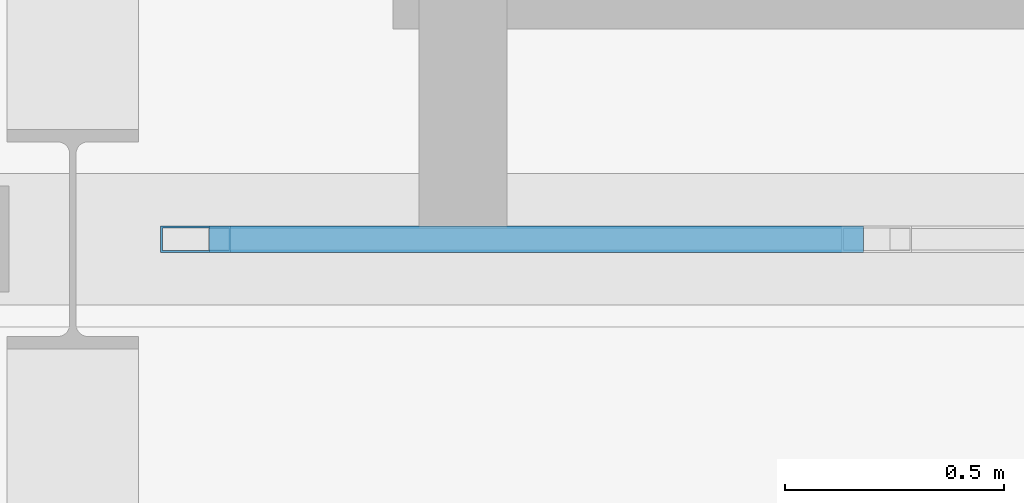
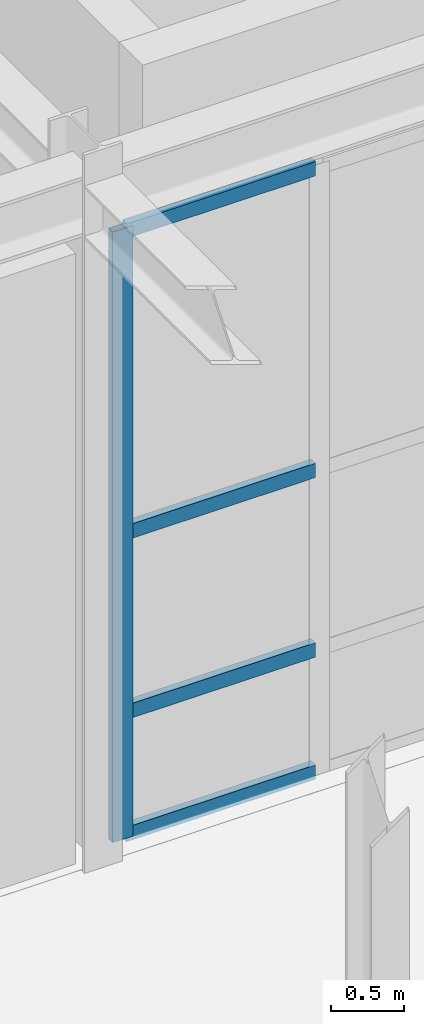
# One storey, part 82 of 146: 5 members, 1 element without a shape of its own.
"""IFC4 building model written with IfcOpenShell, lengths in metres."""

from ifc_helpers import new_model, si_unit, direction, frame, origin, origin_2d, place, context, subcontext, project, spatial, hollow_rectangle, extrude, material, material_profile, profile_set, type_object, element, aggregate, save


model = new_model("IFC4")

# Units and contexts
model_context = context("Model", 3, precision=1e-05, world=origin(), true_north=direction((0.0, 1.0)))
body_context = subcontext(model_context, "Body", "Model", "MODEL_VIEW")
ifc_project = project(units=[si_unit("LENGTHUNIT", "METRE"), si_unit("AREAUNIT", "SQUARE_METRE"), si_unit("VOLUMEUNIT", "CUBIC_METRE"), si_unit("PLANEANGLEUNIT", "RADIAN"), si_unit("MASSUNIT", "GRAM", prefix="KILO")], contexts=[model_context])

# Site, building, storey
site_placement = place(None, origin())
site = spatial("IfcSite", under=ifc_project, at=site_placement, CompositionType="ELEMENT")
building_placement = place(site_placement, origin())
building = spatial("IfcBuilding", under=site, at=building_placement, Name="Kaldris Quays Convention Centre", CompositionType="ELEMENT")
storey_placement = place(building_placement, origin())
storey = spatial("IfcBuildingStorey", under=building, at=storey_placement, Name="L00", CompositionType="ELEMENT", Elevation=0.0)

# Curtain wall, members
ifc_material_1 = material(Name="Anodized aluminium AW-6060 and triple glazing", Category="aluminium")
curtain_wall_type = type_object("IfcCurtainWallType", Name="UNITISED CURTAIN WALL CW01", PredefinedType="NOTDEFINED", material=ifc_material_1)
curtain_wall_placement = place(storey_placement, origin())
curtain_wall = element("IfcCurtainWall", 1, at=curtain_wall_placement, inside=storey, type_object=curtain_wall_type, Name="L00 Unitised Curtain Wall CW01 181", PredefinedType="NOTDEFINED")
ifc_material_2 = material(Name="Anodized aluminium AW-6060", Category="aluminium")
ifc_material_profile_1 = material_profile(ifc_material_2, hollow_rectangle(XDim=0.06005859375, YDim=0.159912109375, WallThickness=0.00390625, at=origin_2d()), Name="RHS 160x60x4")
ifc_profile_set_1 = profile_set([ifc_material_profile_1], Name="Anodized aluminium AW-6060")
member_type_1 = type_object("IfcMemberType", Name="CURTAIN MULLION CWM1", PredefinedType="MULLION", material=ifc_profile_set_1)
member_1_placement = place(storey_placement, frame((194.280029296875, 20.0, 0.0), z_axis=(0.0, 0.0, 1.0), x_axis=(0.0, 1.0, 0.0)))
member_1 = element("IfcMember", 2, at=member_1_placement, type_object=member_type_1, Name="CW01 mullion 1", PredefinedType="MULLION", context=body_context, shape_type="SweptSolid", body=[
    extrude(hollow_rectangle(XDim=0.06005859375, YDim=0.159912109375, WallThickness=0.00390625, at=origin_2d()), origin(), (0.0, 0.0, 1.0), 5.10009765625),
])
ifc_material_profile_2 = material_profile(ifc_material_2, hollow_rectangle(XDim=0.06005859375, YDim=0.1201171875, WallThickness=0.00390625, at=origin_2d()), Name="RHS 120x60x4")
ifc_profile_set_2 = profile_set([ifc_material_profile_2], Name="Anodized aluminium AW-6060")
member_type_2 = type_object("IfcMemberType", Name="CURTAIN TRANSOM CWT1", PredefinedType="USERDEFINED", material=ifc_profile_set_2)
member_2_placement = place(storey_placement, frame((194.31005859375, 20.0, 0.030029296875), z_axis=(1.0, 0.0, 0.0), x_axis=(0.0, 1.0, 0.0)))
member_2 = element("IfcMember", 3, at=member_2_placement, type_object=member_type_2, Name="CW01 transom 1.1", ObjectType="TRANSOM", PredefinedType="USERDEFINED", context=body_context, shape_type="SweptSolid", body=[
    extrude(hollow_rectangle(XDim=0.06005859375, YDim=0.1201171875, WallThickness=0.00390625, at=origin_2d()), origin(), (0.0, 0.0, 1.0), 1.4931640625),
])
member_3_placement = place(storey_placement, frame((194.31005859375, 20.0, 1.050048828125), z_axis=(1.0, 0.0, 0.0), x_axis=(0.0, 1.0, 0.0)))
member_3 = element("IfcMember", 4, at=member_3_placement, type_object=member_type_2, Name="CW01 transom 1.2", ObjectType="TRANSOM", PredefinedType="USERDEFINED", context=body_context, shape_type="SweptSolid", body=[
    extrude(hollow_rectangle(XDim=0.06005859375, YDim=0.1201171875, WallThickness=0.00390625, at=origin_2d()), origin(), (0.0, 0.0, 1.0), 1.4931640625),
])
member_4_placement = place(storey_placement, frame((194.31005859375, 20.0, 2.550048828125), z_axis=(1.0, 0.0, 0.0), x_axis=(0.0, 1.0, 0.0)))
member_4 = element("IfcMember", 5, at=member_4_placement, type_object=member_type_2, Name="CW01 transom 1.3", ObjectType="TRANSOM", PredefinedType="USERDEFINED", context=body_context, shape_type="SweptSolid", body=[
    extrude(hollow_rectangle(XDim=0.06005859375, YDim=0.1201171875, WallThickness=0.00390625, at=origin_2d()), origin(), (0.0, 0.0, 1.0), 1.4931640625),
])
member_5_placement = place(storey_placement, frame((194.31005859375, 20.0, 5.070068359375), z_axis=(1.0, 0.0, 0.0), x_axis=(0.0, 1.0, 0.0)))
member_5 = element("IfcMember", 6, at=member_5_placement, type_object=member_type_2, Name="CW01 transom 1.4", ObjectType="TRANSOM", PredefinedType="USERDEFINED", context=body_context, shape_type="SweptSolid", body=[
    extrude(hollow_rectangle(XDim=0.06005859375, YDim=0.1201171875, WallThickness=0.00390625, at=origin_2d()), origin(), (0.0, 0.0, 1.0), 1.4931640625),
])
aggregate(curtain_wall, [member_1, member_2, member_3, member_4, member_5])

save(model, "model.ifc")
